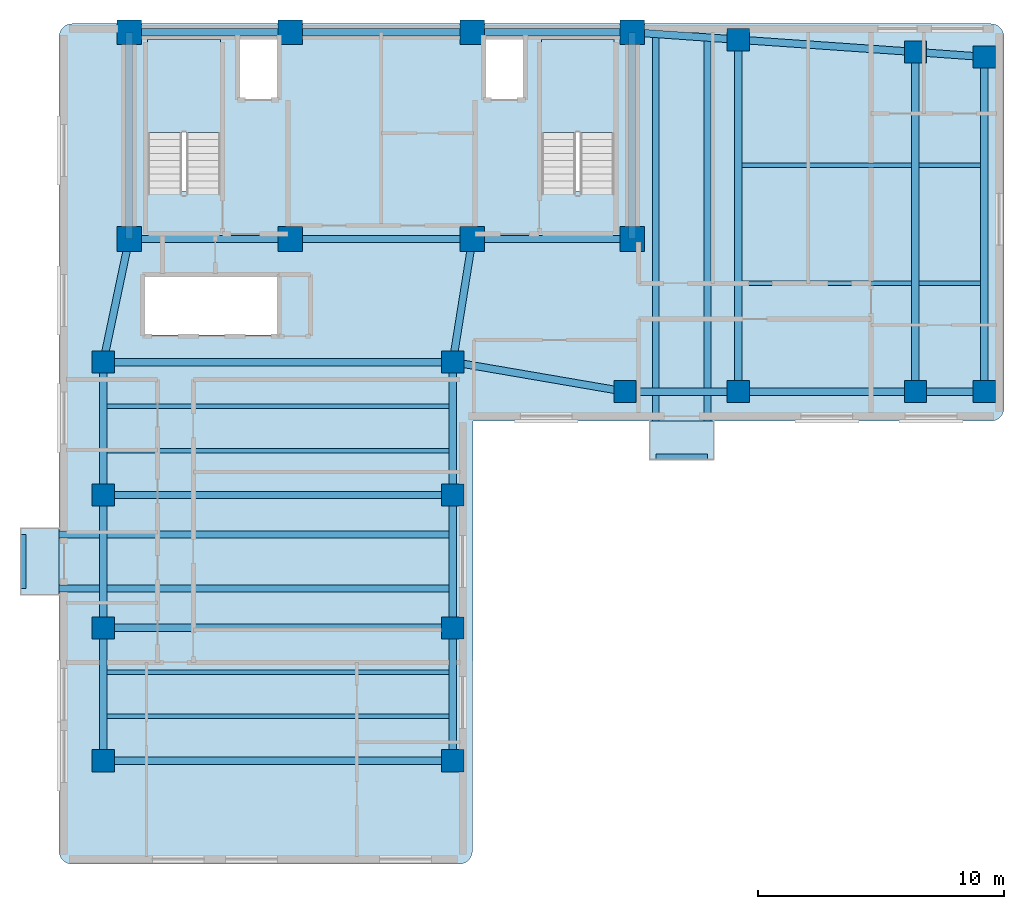
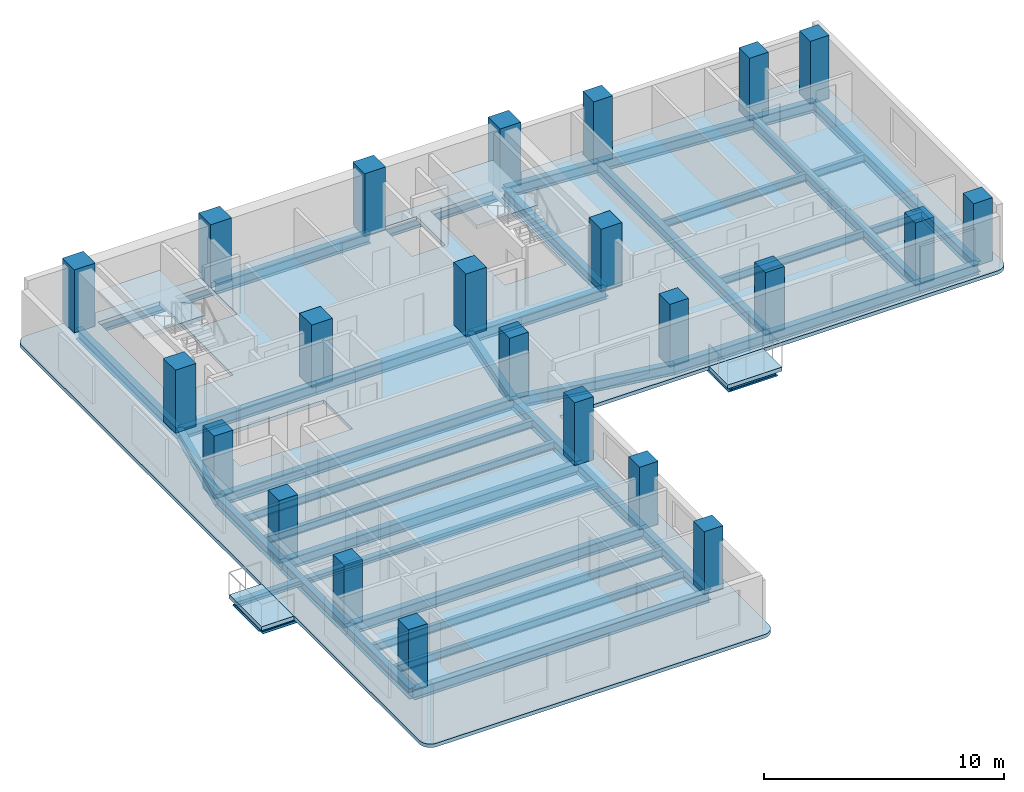
# One storey, part 1 of 7: 44 beams, 23 columns, 5 slabs, 2 elements without a shape of their own.
"""IFC4 building model written with IfcOpenShell, lengths in metres."""

from ifc_helpers import new_model, si_unit, direction, frame, origin, origin_2d, place, context, subcontext, project, spatial, polyline, rectangle, i_section, outline, extrude, material, layer, layer_set, material_profile, profile_set, type_object, element, aggregate, save


model = new_model("IFC4")

# Units and contexts
model_context = context("Model", 3, precision=1e-05, world=origin(), true_north=direction((0.0, 1.0)))
body_context = subcontext(model_context, "Body", "Model", "MODEL_VIEW")
ifc_project = project(units=[si_unit("LENGTHUNIT", "METRE"), si_unit("AREAUNIT", "SQUARE_METRE"), si_unit("VOLUMEUNIT", "CUBIC_METRE"), si_unit("PLANEANGLEUNIT", "RADIAN"), si_unit("MASSUNIT", "GRAM", prefix="KILO")], contexts=[model_context])

# Site, building, storey
site_placement = place(None, origin())
site = spatial("IfcSite", under=ifc_project, at=site_placement, CompositionType="ELEMENT")
building_placement = place(site_placement, origin())
building = spatial("IfcBuilding", under=site, at=building_placement, Name="Kuzgunbayir Cultural Tower", CompositionType="ELEMENT")
storey_placement = place(building_placement, frame((0.0, 0.0, 179.199951171875)))
storey = spatial("IfcBuildingStorey", under=building, at=storey_placement, Name="L52", CompositionType="ELEMENT", Elevation=179.199951171875)

# Columns
ifc_material_1 = material(Name="Concrete C50/60", Category="concrete")
ifc_material_profile_1 = material_profile(ifc_material_1, rectangle(XDim=1.0, YDim=1.0, at=origin_2d()), Name="RC 1000x1000")
ifc_profile_set_1 = profile_set([ifc_material_profile_1], Name="Concrete C50/60")
column_type_1 = type_object("IfcColumnType", Name="COL-CORE-1000", PredefinedType="COLUMN", material=ifc_profile_set_1)
for number, where, z_axis, x_axis, name in (
    (1, (6.449951171875, 33.800048828125, 0.0), (0.0, 0.0, 1.0), (1.0, 0.0, 0.0), "L52 T1 Core Boundary Column CC1-1"),
    (2, (13.0, 33.800048828125, 0.0), (0.0, 0.0, 1.0), (1.0, 0.0, 0.0), "L52 T1 Core Boundary Column CC1-2"),
    (3, (20.39990234375, 33.800048828125, 0.0), (0.0, 0.0, 1.0), (1.0, 0.0, 0.0), "L52 T1 Core Boundary Column CC1-3"),
    (4, (26.89990234375, 33.800048828125, 0.0), (0.0, 0.0, 1.0), (1.0, 0.0, 0.0), "L52 T1 Core Boundary Column CC1-4"),
    (5, (6.449951171875, 42.199951171875, 0.0), (0.0, 0.0, 1.0), (1.0, 0.0, 0.0), "L52 T1 Core Boundary Column CC1-5"),
    (6, (13.0, 42.199951171875, 0.0), (0.0, 0.0, 1.0), (1.0, 0.0, 0.0), "L52 T1 Core Boundary Column CC1-6"),
    (7, (20.39990234375, 42.199951171875, 0.0), (0.0, 0.0, 1.0), (1.0, 0.0, 0.0), "L52 T1 Core Boundary Column CC1-7"),
    (8, (26.89990234375, 42.199951171875, 0.0), (0.0, 0.0, 1.0), (1.0, 0.0, 0.0), "L52 T1 Core Boundary Column CC1-8"),
):
    element("IfcColumn", number, at=place(storey_placement, frame(where, z_axis=z_axis, x_axis=x_axis)), inside=storey, type_object=column_type_1, Name=name, PredefinedType="COLUMN", context=body_context, shape_type="SweptSolid", body=[
        extrude(rectangle(XDim=1.0, YDim=1.0, at=origin_2d()), origin(), (0.0, 0.0, 1.0), 3.199951171875),
    ])
ifc_material_profile_2 = material_profile(ifc_material_1, rectangle(XDim=0.89990234375, YDim=0.89990234375, at=origin_2d()), Name="RC 900x900")
ifc_profile_set_2 = profile_set([ifc_material_profile_2], Name="Concrete C50/60")
column_type_2 = type_object("IfcColumnType", Name="COL-T1-900", PredefinedType="COLUMN", material=ifc_profile_set_2)
for number, where, z_axis, x_axis, name in (
    (9, (5.39990234375, 12.60009765625, 0.0), (0.0, 0.0, 1.0), (1.0, 0.0, 0.0), "L52 Tower 1 Wing A Column T1A-W-1"),
    (10, (19.60009765625, 12.60009765625, 0.0), (0.0, 0.0, 1.0), (1.0, 0.0, 0.0), "L52 Tower 1 Wing A Column T1A-E-1"),
    (11, (5.39990234375, 18.0, 0.0), (0.0, 0.0, 1.0), (1.0, 0.0, 0.0), "L52 Tower 1 Wing A Column T1A-W-2"),
    (12, (19.60009765625, 18.0, 0.0), (0.0, 0.0, 1.0), (1.0, 0.0, 0.0), "L52 Tower 1 Wing A Column T1A-E-2"),
    (13, (5.39990234375, 23.39990234375, 0.0), (0.0, 0.0, 1.0), (1.0, 0.0, 0.0), "L52 Tower 1 Wing A Column T1A-W-3"),
    (14, (19.60009765625, 23.39990234375, 0.0), (0.0, 0.0, 1.0), (1.0, 0.0, 0.0), "L52 Tower 1 Wing A Column T1A-E-3"),
    (15, (5.39990234375, 28.800048828125, 0.0), (0.0, 0.0, 1.0), (1.0, 0.0, 0.0), "L52 Tower 1 Wing A Column T1A-W-4"),
    (16, (19.60009765625, 28.800048828125, 0.0), (0.0, 0.0, 1.0), (1.0, 0.0, 0.0), "L52 Tower 1 Wing A Column T1A-E-4"),
    (17, (26.60009765625, 27.60009765625, 0.0), (0.0, 0.0, 1.0), (1.0, 0.0, 0.0), "L52 Tower 1 Wing B Column T1B-1-1"),
    (18, (31.199951171875, 27.60009765625, 0.0), (0.0, 0.0, 1.0), (1.0, 0.0, 0.0), "L52 Tower 1 Wing B Column T1B-2-1"),
    (19, (31.199951171875, 41.89990234375, 0.0), (0.0, 0.0, 1.0), (1.0, 0.0, 0.0), "L52 Tower 1 Wing B Column T1B-2-2"),
    (20, (38.39990234375, 27.60009765625, 0.0), (0.0, 0.0, 1.0), (1.0, 0.0, 0.0), "L52 Tower 1 Wing B Column T1B-3-1"),
    (21, (38.39990234375, 41.39990234375, 0.0), (0.0, 0.0, 1.0), (1.0, 0.0, 0.0), "L52 Tower 1 Wing B Column T1B-3-2"),
    (22, (41.199951171875, 27.60009765625, 0.0), (0.0, 0.0, 1.0), (1.0, 0.0, 0.0), "L52 Tower 1 Wing B Column T1B-4-1"),
    (23, (41.199951171875, 41.199951171875, 0.0), (0.0, 0.0, 1.0), (1.0, 0.0, 0.0), "L52 Tower 1 Wing B Column T1B-4-2"),
):
    element("IfcColumn", number, at=place(storey_placement, frame(where, z_axis=z_axis, x_axis=x_axis)), inside=storey, type_object=column_type_2, Name=name, PredefinedType="COLUMN", context=body_context, shape_type="SweptSolid", body=[
        extrude(rectangle(XDim=0.89990234375, YDim=0.89990234375, at=origin_2d()), origin(), (0.0, 0.0, 1.0), 3.199951171875),
    ])

# Beams
ifc_material_2 = material(Name="Steel S355J2", Category="steel")
ifc_material_profile_3 = material_profile(ifc_material_2, i_section(OverallWidth=0.280029296875, OverallDepth=0.280029296875, WebThickness=0.010498046875, FlangeThickness=0.01806640625, FilletRadius=0.02392578125, at=origin_2d()), Name="HEB 280")
ifc_profile_set_3 = profile_set([ifc_material_profile_3], Name="Steel S355J2")
beam_type_1 = type_object("IfcBeamType", Name="BM-BAL-HEB280", PredefinedType="BEAM", material=ifc_profile_set_3)
for number, where, z_axis, x_axis, name in (
    (24, (2.159912109375, 19.60009765625, -0.33984375), (1.0, 0.0, 0.0), (0.0, 1.0, 0.0), "L52 Balcony Outrigger Beam BAL-L52-WA2.1"),
    (25, (2.159912109375, 21.800048828125, -0.33984375), (1.0, 0.0, 0.0), (0.0, 1.0, 0.0), "L52 Balcony Outrigger Beam BAL-L52-WA2.2"),
):
    element("IfcBeam", number, at=place(storey_placement, frame(where, z_axis=z_axis, x_axis=x_axis)), inside=storey, type_object=beam_type_1, Name=name, PredefinedType="BEAM", context=body_context, shape_type="SweptSolid", body=[
        extrude(i_section(OverallWidth=0.280029296875, OverallDepth=0.280029296875, WebThickness=0.010498046875, FlangeThickness=0.01806640625, FilletRadius=0.02392578125, at=origin_2d()), origin(), (0.0, 0.0, 1.0), 17.440185546875),
    ])
beam_1_placement = place(storey_placement, frame((27.85009765625, 24.9599609375, -0.33984375), z_axis=(0.0, 1.0, 0.0), x_axis=(-1.0, 0.0, 0.0)))
element("IfcBeam", 26, at=beam_1_placement, inside=storey, type_object=beam_type_1, Name="L52 Balcony Outrigger Beam BAL-L52-WB1.1", PredefinedType="BEAM", context=body_context, shape_type="SweptSolid", body=[
    extrude(i_section(OverallWidth=0.280029296875, OverallDepth=0.280029296875, WebThickness=0.010498046875, FlangeThickness=0.01806640625, FilletRadius=0.02392578125, at=origin_2d()), origin(), (0.0, 0.0, 1.0), 17.169921875),
])
beam_2_placement = place(storey_placement, frame((29.949951171875, 24.9599609375, -0.33984375), z_axis=(0.0, 1.0, 0.0), x_axis=(-1.0, 0.0, 0.0)))
element("IfcBeam", 27, at=beam_2_placement, inside=storey, type_object=beam_type_1, Name="L52 Balcony Outrigger Beam BAL-L52-WB1.2", PredefinedType="BEAM", context=body_context, shape_type="SweptSolid", body=[
    extrude(i_section(OverallWidth=0.280029296875, OverallDepth=0.280029296875, WebThickness=0.010498046875, FlangeThickness=0.01806640625, FilletRadius=0.02392578125, at=origin_2d()), origin(), (0.0, 0.0, 1.0), 17.030029296875),
])
ifc_material_profile_4 = material_profile(ifc_material_2, i_section(OverallWidth=0.199951171875, OverallDepth=0.199951171875, WebThickness=0.009033203125, FlangeThickness=0.014892578125, FilletRadius=0.01806640625, at=origin_2d()), Name="HEB 200")
ifc_profile_set_4 = profile_set([ifc_material_profile_4], Name="Steel S355J2")
beam_type_2 = type_object("IfcBeamType", Name="BM-CAN-HEB200", PredefinedType="BEAM", material=ifc_profile_set_4)
beam_3_placement = place(storey_placement, frame((2.159912109375, 19.60009765625, -0.300048828125), z_axis=(0.0, 1.0, 0.0), x_axis=(-1.0, 0.0, 0.0)))
element("IfcBeam", 28, at=beam_3_placement, inside=storey, type_object=beam_type_2, Name="L52 Balcony Edge Header BAL-L52-WA2", PredefinedType="BEAM", context=body_context, shape_type="SweptSolid", body=[
    extrude(i_section(OverallWidth=0.199951171875, OverallDepth=0.199951171875, WebThickness=0.009033203125, FlangeThickness=0.014892578125, FilletRadius=0.01806640625, at=origin_2d()), origin(), (0.0, 0.0, 1.0), 2.199951171875),
])
beam_4_placement = place(storey_placement, frame((27.85009765625, 24.9599609375, -0.300048828125), z_axis=(1.0, 0.0, 0.0), x_axis=(0.0, 1.0, 0.0)))
element("IfcBeam", 29, at=beam_4_placement, inside=storey, type_object=beam_type_2, Name="L52 Balcony Edge Header BAL-L52-WB1", PredefinedType="BEAM", context=body_context, shape_type="SweptSolid", body=[
    extrude(i_section(OverallWidth=0.199951171875, OverallDepth=0.199951171875, WebThickness=0.009033203125, FlangeThickness=0.014892578125, FilletRadius=0.01806640625, at=origin_2d()), origin(), (0.0, 0.0, 1.0), 2.099853515625),
])
ifc_material_profile_5 = material_profile(ifc_material_2, i_section(OverallWidth=0.300048828125, OverallDepth=0.550048828125, WebThickness=0.014892578125, FlangeThickness=0.029052734375, FilletRadius=0.027099609375, at=origin_2d()), Name="HEB 550")
ifc_profile_set_5 = profile_set([ifc_material_profile_5], Name="Steel S355J2")
beam_type_3 = type_object("IfcBeamType", Name="BM-EXT-HEB550", PredefinedType="BEAM", material=ifc_profile_set_5)
for number, where, z_axis, x_axis, name in (
    (30, (5.39990234375, 12.60009765625, -0.449951171875), (0.0, 1.0, 0.0), (-1.0, 0.0, 0.0), "L52 Wing A West Girder 1"),
    (31, (19.60009765625, 12.60009765625, -0.449951171875), (0.0, 1.0, 0.0), (-1.0, 0.0, 0.0), "L52 Wing A East Girder 1"),
    (32, (5.39990234375, 18.0, -0.449951171875), (0.0, 1.0, 0.0), (-1.0, 0.0, 0.0), "L52 Wing A West Girder 2"),
    (33, (19.60009765625, 18.0, -0.449951171875), (0.0, 1.0, 0.0), (-1.0, 0.0, 0.0), "L52 Wing A East Girder 2"),
):
    element("IfcBeam", number, at=place(storey_placement, frame(where, z_axis=z_axis, x_axis=x_axis)), inside=storey, type_object=beam_type_3, Name=name, PredefinedType="BEAM", context=body_context, shape_type="SweptSolid", body=[
        extrude(i_section(OverallWidth=0.300048828125, OverallDepth=0.550048828125, WebThickness=0.014892578125, FlangeThickness=0.029052734375, FilletRadius=0.027099609375, at=origin_2d()), origin(), (0.0, 0.0, 1.0), 5.39990234375),
    ])
for number, where, z_axis, x_axis, name in (
    (34, (5.39990234375, 23.39990234375, -0.449951171875), (0.0, 1.0, 0.0), (-1.0, 0.0, 0.0), "L52 Wing A West Girder 3"),
    (35, (19.60009765625, 23.39990234375, -0.449951171875), (0.0, 1.0, 0.0), (-1.0, 0.0, 0.0), "L52 Wing A East Girder 3"),
):
    element("IfcBeam", number, at=place(storey_placement, frame(where, z_axis=z_axis, x_axis=x_axis)), inside=storey, type_object=beam_type_3, Name=name, PredefinedType="BEAM", context=body_context, shape_type="SweptSolid", body=[
        extrude(i_section(OverallWidth=0.300048828125, OverallDepth=0.550048828125, WebThickness=0.014892578125, FlangeThickness=0.029052734375, FilletRadius=0.027099609375, at=origin_2d()), origin(), (0.0, 0.0, 1.0), 5.400146484375),
    ])
beam_5_placement = place(storey_placement, frame((26.60009765625, 27.60009765625, -0.449951171875), z_axis=(1.0, 0.0, 0.0), x_axis=(0.0, 1.0, 0.0)))
element("IfcBeam", 36, at=beam_5_placement, inside=storey, type_object=beam_type_3, Name="L52 Wing B South Girder 1", PredefinedType="BEAM", context=body_context, shape_type="SweptSolid", body=[
    extrude(i_section(OverallWidth=0.300048828125, OverallDepth=0.550048828125, WebThickness=0.014892578125, FlangeThickness=0.029052734375, FilletRadius=0.027099609375, at=origin_2d()), origin(), (0.0, 0.0, 1.0), 4.599853515625),
])
beam_6_placement = place(storey_placement, frame((26.89990234375, 42.199951171875, -0.449951171875), z_axis=(0.997574369175, -0.069608749203, 0.0), x_axis=(0.069608749203, 0.997574369175, 0.0)))
element("IfcBeam", 37, at=beam_6_placement, inside=storey, type_object=beam_type_3, Name="L52 Wing B North Girder 1", PredefinedType="BEAM", context=body_context, shape_type="SweptSolid", body=[
    extrude(i_section(OverallWidth=0.300048828125, OverallDepth=0.550048828125, WebThickness=0.014892578125, FlangeThickness=0.029052734375, FilletRadius=0.027099609375, at=origin_2d()), origin(), (0.0, 0.0, 1.0), 4.310546875),
])
beam_7_placement = place(storey_placement, frame((31.199951171875, 27.60009765625, -0.449951171875), z_axis=(1.0, 0.0, 0.0), x_axis=(0.0, 1.0, 0.0)))
element("IfcBeam", 38, at=beam_7_placement, inside=storey, type_object=beam_type_3, Name="L52 Wing B South Girder 2", PredefinedType="BEAM", context=body_context, shape_type="SweptSolid", body=[
    extrude(i_section(OverallWidth=0.300048828125, OverallDepth=0.550048828125, WebThickness=0.014892578125, FlangeThickness=0.029052734375, FilletRadius=0.027099609375, at=origin_2d()), origin(), (0.0, 0.0, 1.0), 7.199951171875),
])
beam_8_placement = place(storey_placement, frame((31.199951171875, 41.89990234375, -0.449951171875), z_axis=(0.997597388498, -0.069278066245, 0.0), x_axis=(0.069278066245, 0.997597388498, 0.0)))
element("IfcBeam", 39, at=beam_8_placement, inside=storey, type_object=beam_type_3, Name="L52 Wing B North Girder 2", PredefinedType="BEAM", context=body_context, shape_type="SweptSolid", body=[
    extrude(i_section(OverallWidth=0.300048828125, OverallDepth=0.550048828125, WebThickness=0.014892578125, FlangeThickness=0.029052734375, FilletRadius=0.027099609375, at=origin_2d()), origin(), (0.0, 0.0, 1.0), 7.21728515625),
])
beam_9_placement = place(storey_placement, frame((38.39990234375, 27.60009765625, -0.449951171875), z_axis=(1.0, 0.0, 0.0), x_axis=(0.0, 1.0, 0.0)))
element("IfcBeam", 40, at=beam_9_placement, inside=storey, type_object=beam_type_3, Name="L52 Wing B South Girder 3", PredefinedType="BEAM", context=body_context, shape_type="SweptSolid", body=[
    extrude(i_section(OverallWidth=0.300048828125, OverallDepth=0.550048828125, WebThickness=0.014892578125, FlangeThickness=0.029052734375, FilletRadius=0.027099609375, at=origin_2d()), origin(), (0.0, 0.0, 1.0), 2.800048828125),
])
beam_10_placement = place(storey_placement, frame((38.39990234375, 41.39990234375, -0.449951171875), z_axis=(0.997460024076, -0.071228508128, 0.0), x_axis=(0.071228508128, 0.997460024076, 0.0)))
element("IfcBeam", 41, at=beam_10_placement, inside=storey, type_object=beam_type_3, Name="L52 Wing B North Girder 3", PredefinedType="BEAM", context=body_context, shape_type="SweptSolid", body=[
    extrude(i_section(OverallWidth=0.300048828125, OverallDepth=0.550048828125, WebThickness=0.014892578125, FlangeThickness=0.029052734375, FilletRadius=0.027099609375, at=origin_2d()), origin(), (0.0, 0.0, 1.0), 2.80712890625),
])
ifc_material_profile_6 = material_profile(ifc_material_2, i_section(OverallWidth=0.300048828125, OverallDepth=0.550048828125, WebThickness=0.014892578125, FlangeThickness=0.029052734375, FilletRadius=0.027099609375, at=origin_2d()), Name="HEB 550")
ifc_profile_set_6 = profile_set([ifc_material_profile_6], Name="Steel S355J2")
beam_type_4 = type_object("IfcBeamType", Name="BM-GIR-HEB550", PredefinedType="BEAM", material=ifc_profile_set_6)
beam_11_placement = place(storey_placement, frame((6.449951171875, 33.800048828125, -0.449951171875), z_axis=(1.0, 0.0, 0.0), x_axis=(0.0, 1.0, 0.0)))
element("IfcBeam", 42, at=beam_11_placement, inside=storey, type_object=beam_type_4, Name="L52 Core South Girder 1", PredefinedType="BEAM", context=body_context, shape_type="SweptSolid", body=[
    extrude(i_section(OverallWidth=0.300048828125, OverallDepth=0.550048828125, WebThickness=0.014892578125, FlangeThickness=0.029052734375, FilletRadius=0.027099609375, at=origin_2d()), origin(), (0.0, 0.0, 1.0), 6.550048828125),
])
beam_12_placement = place(storey_placement, frame((13.0, 33.800048828125, -0.449951171875), z_axis=(1.0, 0.0, 0.0), x_axis=(0.0, 1.0, 0.0)))
element("IfcBeam", 43, at=beam_12_placement, inside=storey, type_object=beam_type_4, Name="L52 Core South Girder 2", PredefinedType="BEAM", context=body_context, shape_type="SweptSolid", body=[
    extrude(i_section(OverallWidth=0.300048828125, OverallDepth=0.550048828125, WebThickness=0.014892578125, FlangeThickness=0.029052734375, FilletRadius=0.027099609375, at=origin_2d()), origin(), (0.0, 0.0, 1.0), 7.39990234375),
])
beam_13_placement = place(storey_placement, frame((20.39990234375, 33.800048828125, -0.449951171875), z_axis=(1.0, 0.0, 0.0), x_axis=(0.0, 1.0, 0.0)))
element("IfcBeam", 44, at=beam_13_placement, inside=storey, type_object=beam_type_4, Name="L52 Core South Girder 3", PredefinedType="BEAM", context=body_context, shape_type="SweptSolid", body=[
    extrude(i_section(OverallWidth=0.300048828125, OverallDepth=0.550048828125, WebThickness=0.014892578125, FlangeThickness=0.029052734375, FilletRadius=0.027099609375, at=origin_2d()), origin(), (0.0, 0.0, 1.0), 6.5),
])
beam_14_placement = place(storey_placement, frame((6.449951171875, 42.199951171875, -0.449951171875), z_axis=(1.0, 0.0, 0.0), x_axis=(0.0, 1.0, 0.0)))
element("IfcBeam", 45, at=beam_14_placement, inside=storey, type_object=beam_type_4, Name="L52 Core North Girder 1", PredefinedType="BEAM", context=body_context, shape_type="SweptSolid", body=[
    extrude(i_section(OverallWidth=0.300048828125, OverallDepth=0.550048828125, WebThickness=0.014892578125, FlangeThickness=0.029052734375, FilletRadius=0.027099609375, at=origin_2d()), origin(), (0.0, 0.0, 1.0), 6.550048828125),
])
beam_15_placement = place(storey_placement, frame((13.0, 42.199951171875, -0.449951171875), z_axis=(1.0, 0.0, 0.0), x_axis=(0.0, 1.0, 0.0)))
element("IfcBeam", 46, at=beam_15_placement, inside=storey, type_object=beam_type_4, Name="L52 Core North Girder 2", PredefinedType="BEAM", context=body_context, shape_type="SweptSolid", body=[
    extrude(i_section(OverallWidth=0.300048828125, OverallDepth=0.550048828125, WebThickness=0.014892578125, FlangeThickness=0.029052734375, FilletRadius=0.027099609375, at=origin_2d()), origin(), (0.0, 0.0, 1.0), 7.39990234375),
])
beam_16_placement = place(storey_placement, frame((20.39990234375, 42.199951171875, -0.449951171875), z_axis=(1.0, 0.0, 0.0), x_axis=(0.0, 1.0, 0.0)))
element("IfcBeam", 47, at=beam_16_placement, inside=storey, type_object=beam_type_4, Name="L52 Core North Girder 3", PredefinedType="BEAM", context=body_context, shape_type="SweptSolid", body=[
    extrude(i_section(OverallWidth=0.300048828125, OverallDepth=0.550048828125, WebThickness=0.014892578125, FlangeThickness=0.029052734375, FilletRadius=0.027099609375, at=origin_2d()), origin(), (0.0, 0.0, 1.0), 6.5),
])
for number, where, z_axis, x_axis, name in (
    (48, (6.449951171875, 33.800048828125, -0.449951171875), (0.0, 1.0, 0.0), (-1.0, 0.0, 0.0), "L52 Core West Edge Girder"),
    (49, (26.89990234375, 33.800048828125, -0.449951171875), (0.0, 1.0, 0.0), (-1.0, 0.0, 0.0), "L52 Core East Edge Girder"),
):
    element("IfcBeam", number, at=place(storey_placement, frame(where, z_axis=z_axis, x_axis=x_axis)), inside=storey, type_object=beam_type_4, Name=name, PredefinedType="BEAM", context=body_context, shape_type="SweptSolid", body=[
        extrude(i_section(OverallWidth=0.300048828125, OverallDepth=0.550048828125, WebThickness=0.014892578125, FlangeThickness=0.029052734375, FilletRadius=0.027099609375, at=origin_2d()), origin(), (0.0, 0.0, 1.0), 8.39990234375),
    ])
for number, where, z_axis, x_axis, name in (
    (50, (5.39990234375, 12.60009765625, -0.449951171875), (1.0, 0.0, 0.0), (0.0, 1.0, 0.0), "L52 Wing A Transverse Girder 1"),
    (51, (5.39990234375, 18.0, -0.449951171875), (1.0, 0.0, 0.0), (0.0, 1.0, 0.0), "L52 Wing A Transverse Girder 2"),
    (52, (5.39990234375, 23.39990234375, -0.449951171875), (1.0, 0.0, 0.0), (0.0, 1.0, 0.0), "L52 Wing A Transverse Girder 3"),
    (53, (5.39990234375, 28.800048828125, -0.449951171875), (1.0, 0.0, 0.0), (0.0, 1.0, 0.0), "L52 Wing A Transverse Girder 4"),
):
    element("IfcBeam", number, at=place(storey_placement, frame(where, z_axis=z_axis, x_axis=x_axis)), inside=storey, type_object=beam_type_4, Name=name, PredefinedType="BEAM", context=body_context, shape_type="SweptSolid", body=[
        extrude(i_section(OverallWidth=0.300048828125, OverallDepth=0.550048828125, WebThickness=0.014892578125, FlangeThickness=0.029052734375, FilletRadius=0.027099609375, at=origin_2d()), origin(), (0.0, 0.0, 1.0), 14.2001953125),
    ])
beam_17_placement = place(storey_placement, frame((5.39990234375, 28.800048828125, -0.449951171875), z_axis=(0.205526387753, 0.978651574329, 0.0), x_axis=(-0.978651574329, 0.205526387753, 0.0)))
element("IfcBeam", 54, at=beam_17_placement, inside=storey, type_object=beam_type_4, Name="L52 Wing A West Core Floor Girder", PredefinedType="BEAM", context=body_context, shape_type="SweptSolid", body=[
    extrude(i_section(OverallWidth=0.300048828125, OverallDepth=0.550048828125, WebThickness=0.014892578125, FlangeThickness=0.029052734375, FilletRadius=0.027099609375, at=origin_2d()), origin(), (0.0, 0.0, 1.0), 5.109130859375),
])
beam_18_placement = place(storey_placement, frame((19.60009765625, 28.800048828125, -0.449951171875), z_axis=(0.157952891656, 0.987446648694, 0.0), x_axis=(-0.987446648694, 0.157952891656, 0.0)))
element("IfcBeam", 55, at=beam_18_placement, inside=storey, type_object=beam_type_4, Name="L52 Wing A East Core Floor Girder", PredefinedType="BEAM", context=body_context, shape_type="SweptSolid", body=[
    extrude(i_section(OverallWidth=0.300048828125, OverallDepth=0.550048828125, WebThickness=0.014892578125, FlangeThickness=0.029052734375, FilletRadius=0.027099609375, at=origin_2d()), origin(), (0.0, 0.0, 1.0), 5.0634765625),
])
beam_19_placement = place(storey_placement, frame((31.199951171875, 27.60009765625, -0.449951171875), z_axis=(0.0, 1.0, 0.0), x_axis=(-1.0, 0.0, 0.0)))
element("IfcBeam", 56, at=beam_19_placement, inside=storey, type_object=beam_type_4, Name="L52 Wing B Cross Girder 31", PredefinedType="BEAM", context=body_context, shape_type="SweptSolid", body=[
    extrude(i_section(OverallWidth=0.300048828125, OverallDepth=0.550048828125, WebThickness=0.014892578125, FlangeThickness=0.029052734375, FilletRadius=0.027099609375, at=origin_2d()), origin(), (0.0, 0.0, 1.0), 14.2998046875),
])
beam_20_placement = place(storey_placement, frame((38.39990234375, 27.60009765625, -0.449951171875), z_axis=(0.0, 1.0, 0.0), x_axis=(-1.0, 0.0, 0.0)))
element("IfcBeam", 57, at=beam_20_placement, inside=storey, type_object=beam_type_4, Name="L52 Wing B Cross Girder 38", PredefinedType="BEAM", context=body_context, shape_type="SweptSolid", body=[
    extrude(i_section(OverallWidth=0.300048828125, OverallDepth=0.550048828125, WebThickness=0.014892578125, FlangeThickness=0.029052734375, FilletRadius=0.027099609375, at=origin_2d()), origin(), (0.0, 0.0, 1.0), 13.7998046875),
])
beam_21_placement = place(storey_placement, frame((41.199951171875, 27.60009765625, -0.449951171875), z_axis=(0.0, 1.0, 0.0), x_axis=(-1.0, 0.0, 0.0)))
element("IfcBeam", 58, at=beam_21_placement, inside=storey, type_object=beam_type_4, Name="L52 Wing B Cross Girder 41", PredefinedType="BEAM", context=body_context, shape_type="SweptSolid", body=[
    extrude(i_section(OverallWidth=0.300048828125, OverallDepth=0.550048828125, WebThickness=0.014892578125, FlangeThickness=0.029052734375, FilletRadius=0.027099609375, at=origin_2d()), origin(), (0.0, 0.0, 1.0), 13.599853515625),
])
beam_22_placement = place(storey_placement, frame((19.60009765625, 28.800048828125, -0.449951171875), z_axis=(0.985623399742, -0.168957136221, 0.0), x_axis=(0.168957136221, 0.985623399742, 0.0)))
element("IfcBeam", 59, at=beam_22_placement, inside=storey, type_object=beam_type_4, Name="L52 Wing B Waist Tie Girder", PredefinedType="BEAM", context=body_context, shape_type="SweptSolid", body=[
    extrude(i_section(OverallWidth=0.300048828125, OverallDepth=0.550048828125, WebThickness=0.014892578125, FlangeThickness=0.029052734375, FilletRadius=0.027099609375, at=origin_2d()), origin(), (0.0, 0.0, 1.0), 7.10205078125),
])
ifc_material_profile_7 = material_profile(ifc_material_2, i_section(OverallWidth=0.179931640625, OverallDepth=0.39990234375, WebThickness=0.008544921875, FlangeThickness=0.013427734375, FilletRadius=0.02099609375, at=origin_2d()), Name="IPE 400")
ifc_profile_set_7 = profile_set([ifc_material_profile_7], Name="Steel S355J2")
beam_type_5 = type_object("IfcBeamType", Name="BM-JST-IPE400", PredefinedType="JOIST", material=ifc_profile_set_7)
for number, where, z_axis, x_axis, name in (
    (60, (5.550048828125, 14.39990234375, -0.3798828125), (1.0, 0.0, 0.0), (0.0, 1.0, 0.0), "L52 Wing A Secondary Joist 1"),
    (61, (5.550048828125, 16.199951171875, -0.3798828125), (1.0, 0.0, 0.0), (0.0, 1.0, 0.0), "L52 Wing A Secondary Joist 2"),
    (62, (5.550048828125, 25.199951171875, -0.3798828125), (1.0, 0.0, 0.0), (0.0, 1.0, 0.0), "L52 Wing A Secondary Joist 5"),
    (63, (5.550048828125, 27.0, -0.3798828125), (1.0, 0.0, 0.0), (0.0, 1.0, 0.0), "L52 Wing A Secondary Joist 6"),
):
    element("IfcBeam", number, at=place(storey_placement, frame(where, z_axis=z_axis, x_axis=x_axis)), inside=storey, type_object=beam_type_5, Name=name, PredefinedType="JOIST", context=body_context, shape_type="SweptSolid", body=[
        extrude(i_section(OverallWidth=0.179931640625, OverallDepth=0.39990234375, WebThickness=0.008544921875, FlangeThickness=0.013427734375, FilletRadius=0.02099609375, at=origin_2d()), origin(), (0.0, 0.0, 1.0), 13.89990234375),
    ])
for number, where, z_axis, x_axis, name in (
    (64, (31.35009765625, 32.0, -0.3798828125), (1.0, 0.0, 0.0), (0.0, 1.0, 0.0), "L52 Wing B Secondary Joist 1.1"),
    (65, (31.35009765625, 36.800048828125, -0.3798828125), (1.0, 0.0, 0.0), (0.0, 1.0, 0.0), "L52 Wing B Secondary Joist 1.2"),
):
    element("IfcBeam", number, at=place(storey_placement, frame(where, z_axis=z_axis, x_axis=x_axis)), inside=storey, type_object=beam_type_5, Name=name, PredefinedType="JOIST", context=body_context, shape_type="SweptSolid", body=[
        extrude(i_section(OverallWidth=0.179931640625, OverallDepth=0.39990234375, WebThickness=0.008544921875, FlangeThickness=0.013427734375, FilletRadius=0.02099609375, at=origin_2d()), origin(), (0.0, 0.0, 1.0), 6.89990234375),
    ])
for number, where, z_axis, x_axis, name in (
    (66, (38.550048828125, 32.0, -0.3798828125), (1.0, 0.0, 0.0), (0.0, 1.0, 0.0), "L52 Wing B Secondary Joist 2.1"),
    (67, (38.550048828125, 36.800048828125, -0.3798828125), (1.0, 0.0, 0.0), (0.0, 1.0, 0.0), "L52 Wing B Secondary Joist 2.2"),
):
    element("IfcBeam", number, at=place(storey_placement, frame(where, z_axis=z_axis, x_axis=x_axis)), inside=storey, type_object=beam_type_5, Name=name, PredefinedType="JOIST", context=body_context, shape_type="SweptSolid", body=[
        extrude(i_section(OverallWidth=0.179931640625, OverallDepth=0.39990234375, WebThickness=0.008544921875, FlangeThickness=0.013427734375, FilletRadius=0.02099609375, at=origin_2d()), origin(), (0.0, 0.0, 1.0), 2.5),
    ])

# Slabs
ifc_material_3 = material(Name="Concrete C40/50", Category="concrete")
ifc_layer_1 = layer(ifc_material_3, 0.199951171875)
ifc_layer_set_1 = layer_set([ifc_layer_1], Name="Concrete C40/50")
slab_type_1 = type_object("IfcSlabType", Name="SLB-BAL-STONE", PredefinedType="FLOOR", material=ifc_layer_set_1)
slab_1_placement = place(storey_placement, frame((0.0, 0.0, -0.199951171875)))
element("IfcSlab", 68, at=slab_1_placement, inside=storey, type_object=slab_type_1, Name="L52 Projecting Limestone Balcony BAL-L52-WA2", PredefinedType="FLOOR", context=body_context, shape_type="SweptSolid", body=[
    extrude(outline(polyline([(2.0400390625, 19.35009765625), (3.60009765625, 19.35009765625), (3.60009765625, 22.050048828125), (2.0400390625, 22.050048828125), (2.0400390625, 19.35009765625)])), origin(), (0.0, 0.0, 1.0), 0.199951171875),
])
slab_2_placement = place(storey_placement, frame((0.0, 0.0, -0.199951171875)))
element("IfcSlab", 69, at=slab_2_placement, inside=storey, type_object=slab_type_1, Name="L52 Projecting Limestone Balcony BAL-L52-WB1", PredefinedType="FLOOR", context=body_context, shape_type="SweptSolid", body=[
    extrude(outline(polyline([(27.60009765625, 24.840087890625), (30.199951171875, 24.840087890625), (30.199951171875, 26.39990234375), (27.60009765625, 26.39990234375), (27.60009765625, 24.840087890625)])), origin(), (0.0, 0.0, 1.0), 0.199951171875),
])

# Stair, slab
stair_type = type_object("IfcStairType", Name="STR-EXIT-CORE", PredefinedType="HALF_TURN_STAIR", material=ifc_material_3)
stair_1_placement = place(storey_placement, origin())
stair_1 = element("IfcStair", 70, at=stair_1_placement, inside=storey, type_object=stair_type, Name="L52 ST-1", PredefinedType="HALF_TURN_STAIR")
ifc_layer_2 = layer(ifc_material_3, 0.179931640625)
ifc_layer_set_2 = layer_set([ifc_layer_2], Name="Concrete C40/50")
slab_type_2 = type_object("IfcSlabType", Name="SLB-LANDING-180", PredefinedType="LANDING", material=ifc_layer_set_2)
slab_3_placement = place(storey_placement, frame((0.0, 0.0, 1.400146484375)))
slab_3 = element("IfcSlab", 71, at=slab_3_placement, type_object=slab_type_2, Name="ST-1 landing 1", PredefinedType="LANDING", context=body_context, shape_type="SweptSolid", body=[
    extrude(outline(polyline([(10.159912109375, 38.1201171875), (10.159912109375, 41.89990234375), (7.199951171875, 41.89990234375), (7.199951171875, 38.1201171875), (10.159912109375, 38.1201171875)])), origin(), (0.0, 0.0, 1.0), 0.199951171875),
])
aggregate(stair_1, [slab_3])

stair_2_placement = place(storey_placement, origin())
stair_2 = element("IfcStair", 72, at=stair_2_placement, inside=storey, type_object=stair_type, Name="L52 ST-2", PredefinedType="HALF_TURN_STAIR")
slab_4_placement = place(storey_placement, frame((0.0, 0.0, 1.400146484375)))
slab_4 = element("IfcSlab", 73, at=slab_4_placement, type_object=slab_type_2, Name="ST-2 landing 1", PredefinedType="LANDING", context=body_context, shape_type="SweptSolid", body=[
    extrude(outline(polyline([(26.159912109375, 38.1201171875), (26.159912109375, 41.89990234375), (23.199951171875, 41.89990234375), (23.199951171875, 38.1201171875), (26.159912109375, 38.1201171875)])), origin(), (0.0, 0.0, 1.0), 0.199951171875),
])
aggregate(stair_2, [slab_4])

# Slab
ifc_layer_3 = layer(ifc_material_3, 0.179931640625)
ifc_layer_set_3 = layer_set([ifc_layer_3], Name="Concrete C40/50")
slab_type_3 = type_object("IfcSlabType", Name="SLB-TYP-180", PredefinedType="FLOOR", material=ifc_layer_set_3)
slab_5_placement = place(storey_placement, frame((0.0, 0.0, -0.179931640625)))
element("IfcSlab", 74, at=slab_5_placement, inside=storey, type_object=slab_type_3, Name="L52 Tower 1 Floor Slab T1-MAIN", PredefinedType="FLOOR", context=body_context, shape_type="SweptSolid", body=[
    extrude(outline(polyline([(20.39990234375, 8.949951171875), (20.389892578125, 8.840087890625), (20.360107421875, 8.739990234375), (20.31005859375, 8.639892578125), (20.239990234375, 8.56005859375), (20.159912109375, 8.489990234375), (20.06005859375, 8.43994140625), (19.9599609375, 8.409912109375), (19.85009765625, 8.39990234375), (4.14990234375, 8.39990234375), (4.0400390625, 8.409912109375), (3.93994140625, 8.43994140625), (3.840087890625, 8.489990234375), (3.760009765625, 8.56005859375), (3.68994140625, 8.639892578125), (3.639892578125, 8.739990234375), (3.610107421875, 8.840087890625), (3.60009765625, 8.949951171875), (3.60009765625, 42.0), (3.610107421875, 42.110107421875), (3.639892578125, 42.2099609375), (3.68994140625, 42.31005859375), (3.760009765625, 42.389892578125), (3.840087890625, 42.4599609375), (3.93994140625, 42.510009765625), (4.0400390625, 42.5400390625), (4.14990234375, 42.550048828125), (41.449951171875, 42.550048828125), (41.56005859375, 42.5400390625), (41.659912109375, 42.510009765625), (41.760009765625, 42.4599609375), (41.840087890625, 42.389892578125), (41.909912109375, 42.31005859375), (41.9599609375, 42.2099609375), (41.989990234375, 42.110107421875), (42.0, 42.0), (42.0, 26.949951171875), (41.989990234375, 26.840087890625), (41.9599609375, 26.739990234375), (41.909912109375, 26.639892578125), (41.840087890625, 26.56005859375), (41.760009765625, 26.489990234375), (41.659912109375, 26.43994140625), (41.56005859375, 26.409912109375), (41.449951171875, 26.39990234375), (20.429931640625, 26.39990234375), (20.39990234375, 8.949951171875)]), holes=[polyline([(7.199951171875, 35.760009765625), (7.199951171875, 41.89990234375), (10.159912109375, 41.89990234375), (10.159912109375, 35.760009765625), (7.199951171875, 35.760009765625)]), polyline([(23.199951171875, 35.760009765625), (23.199951171875, 41.89990234375), (26.159912109375, 41.89990234375), (26.159912109375, 35.760009765625), (23.199951171875, 35.760009765625)]), polyline([(7.10009765625, 29.89990234375), (7.10009765625, 32.300048828125), (12.5, 32.300048828125), (12.5, 29.89990234375), (7.10009765625, 29.89990234375)]), polyline([(10.89990234375, 39.5), (10.89990234375, 41.89990234375), (12.5, 41.89990234375), (12.5, 39.5), (10.89990234375, 39.5)]), polyline([(20.89990234375, 39.5), (20.89990234375, 41.89990234375), (22.5, 41.89990234375), (22.5, 39.5), (20.89990234375, 39.5)])]), origin(), (0.0, 0.0, 1.0), 0.179931640625),
])

save(model, "model.ifc")
